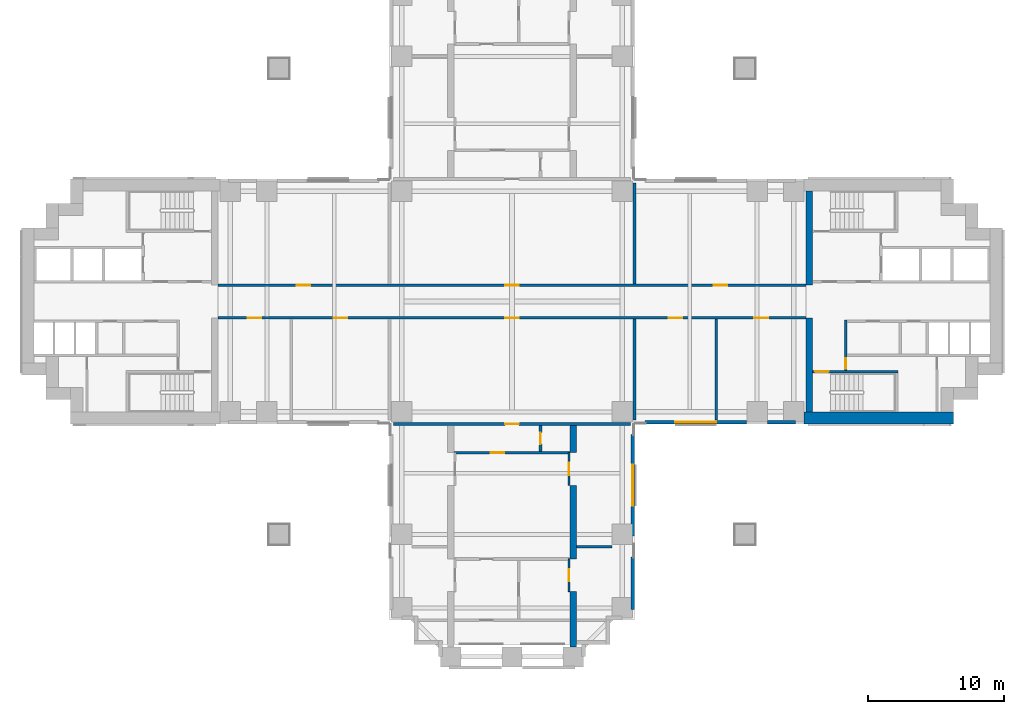
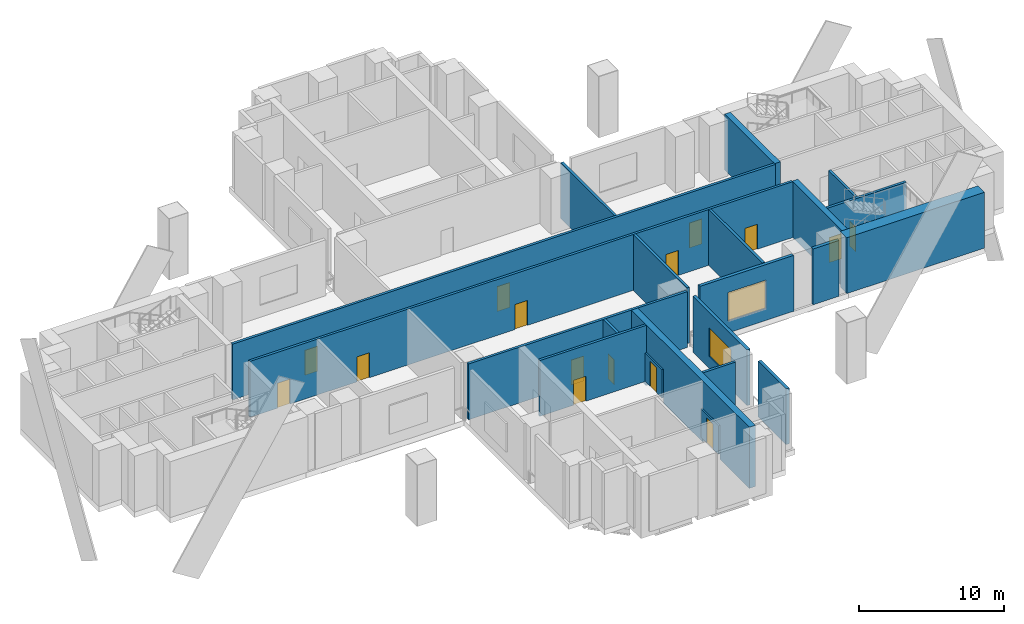
# One storey, part 4 of 10: 21 walls, 15 doors, 2 windows, 17 openings.
"""IFC4 building model written with IfcOpenShell, lengths in metres."""

from ifc_helpers import new_model, si_unit, direction, frame, frame_2d, origin, place, context, subcontext, project, spatial, polyline, rectangle, outline, extrude, material, layer, layer_set, material_profile, profile_set, type_object, element, fill, save


model = new_model("IFC4")

# Units and contexts
model_context = context("Model", 3, precision=1e-05, world=origin(), true_north=direction((0.0, 1.0)))
body_context = subcontext(model_context, "Body", "Model", "MODEL_VIEW")
ifc_project = project(units=[si_unit("LENGTHUNIT", "METRE"), si_unit("AREAUNIT", "SQUARE_METRE"), si_unit("VOLUMEUNIT", "CUBIC_METRE"), si_unit("PLANEANGLEUNIT", "RADIAN"), si_unit("MASSUNIT", "GRAM", prefix="KILO")], contexts=[model_context])

# Site, building, storey
site_placement = place(None, origin())
site = spatial("IfcSite", under=ifc_project, at=site_placement, CompositionType="ELEMENT")
building_placement = place(site_placement, origin())
building = spatial("IfcBuilding", under=site, at=building_placement, Name="Perihelion Cross Residences", CompositionType="ELEMENT")
storey_placement = place(building_placement, frame((0.0, 0.0, 27.0)))
storey = spatial("IfcBuildingStorey", under=building, at=storey_placement, Name="L03", CompositionType="ELEMENT", Elevation=27.0)

# Wall, openings, doors
ifc_material_1 = material(Name="Plasterboard partition")
ifc_layer_1 = layer(ifc_material_1, 0.199951171875)
ifc_layer_set_1 = layer_set([ifc_layer_1], Name="Apartment riser wall 200")
wall_type_1 = type_object("IfcWallType", Name="Apartment riser wall 200", PredefinedType="PARTITIONING", material=ifc_layer_set_1)
wall_1_placement = place(storey_placement, frame((-21.60009765625, 1.199951171875, 0.0), z_axis=(0.0, 0.0, 1.0), x_axis=(1.0, 0.0, 0.0)))
wall_1 = element("IfcWall", 1, at=wall_1_placement, inside=storey, type_object=wall_type_1, Name="Partition L03 W001", PredefinedType="PARTITIONING", context=body_context, shape_type="SweptSolid", body=[
    extrude(rectangle(XDim=43.2001953125, YDim=0.199951171875, at=frame_2d((21.60009765625, 0.0))), origin(), (0.0, 0.0, 1.0), 4.699951171875),
])
opening_1_placement = place(wall_1_placement, frame((21.10009765625, 0.0, 0.0)))
opening_1 = element("IfcOpeningElement", 2, at=opening_1_placement, cuts=wall_1, Name="Opening L03.A01", PredefinedType="OPENING", context=body_context, shape_type="SweptSolid", body=[
    extrude(rectangle(XDim=1.0, YDim=2.10009765625, at=frame_2d((0.5, 1.050048828125))), frame((0.0, 0.10986328125, 0.0), z_axis=(0.0, -1.0, 0.0), x_axis=(1.0, 0.0, 0.0)), (0.0, 0.0, 1.0), 0.219970703125),
])
opening_2_placement = place(wall_1_placement, frame((36.39990234375, 0.0, 0.0)))
opening_2 = element("IfcOpeningElement", 3, at=opening_2_placement, cuts=wall_1, Name="Opening L03.A03", PredefinedType="OPENING", context=body_context, shape_type="SweptSolid", body=[
    extrude(rectangle(XDim=1.0, YDim=2.10009765625, at=frame_2d((0.5, 1.050048828125))), frame((0.0, 0.10986328125, 0.0), z_axis=(0.0, -1.0, 0.0), x_axis=(1.0, 0.0, 0.0)), (0.0, 0.0, 1.0), 0.219970703125),
])
opening_3_placement = place(wall_1_placement, frame((5.800048828125, 0.0, 0.0)))
opening_3 = element("IfcOpeningElement", 4, at=opening_3_placement, cuts=wall_1, Name="Opening L03.A06", PredefinedType="OPENING", context=body_context, shape_type="SweptSolid", body=[
    extrude(rectangle(XDim=1.0, YDim=2.10009765625, at=frame_2d((0.5, 1.050048828125))), frame((0.0, 0.10986328125, 0.0), z_axis=(0.0, -1.0, 0.0), x_axis=(1.0, 0.0, 0.0)), (0.0, 0.0, 1.0), 0.219970703125),
])
ifc_material_2 = material(Name="Steel door leaf", Category="steel")
door_type_1 = type_object("IfcDoorType", Name="Plant floor door 1000 x 2100", OperationType="SINGLE_SWING_LEFT", PredefinedType="DOOR", material=ifc_material_2)
door_1_placement = place(opening_1_placement, origin())
door_1 = element("IfcDoor", 5, at=door_1_placement, inside=storey, type_object=door_type_1, Name="Door L03.A01", OperationType="SINGLE_SWING_LEFT", OverallHeight=2.10009765625, OverallWidth=1.0, PredefinedType="DOOR", context=body_context, shape_type="SweptSolid", body=[
    extrude(rectangle(XDim=1.0, YDim=2.10009765625, at=frame_2d((0.5, 1.050048828125))), frame((0.0, 0.02490234375, 0.0), z_axis=(0.0, -1.0, 0.0), x_axis=(1.0, 0.0, 0.0)), (0.0, 0.0, 1.0), 0.050048828125),
])
fill(opening_1, door_1)
door_2_placement = place(opening_2_placement, origin())
door_2 = element("IfcDoor", 6, at=door_2_placement, inside=storey, type_object=door_type_1, Name="Door L03.A03", OperationType="SINGLE_SWING_LEFT", OverallHeight=2.10009765625, OverallWidth=1.0, PredefinedType="DOOR", context=body_context, shape_type="SweptSolid", body=[
    extrude(rectangle(XDim=1.0, YDim=2.10009765625, at=frame_2d((0.5, 1.050048828125))), frame((0.0, 0.02490234375, 0.0), z_axis=(0.0, -1.0, 0.0), x_axis=(1.0, 0.0, 0.0)), (0.0, 0.0, 1.0), 0.050048828125),
])
fill(opening_2, door_2)
door_3_placement = place(opening_3_placement, origin())
door_3 = element("IfcDoor", 7, at=door_3_placement, inside=storey, type_object=door_type_1, Name="Door L03.A06", OperationType="SINGLE_SWING_RIGHT", OverallHeight=2.10009765625, OverallWidth=1.0, PredefinedType="DOOR", context=body_context, shape_type="SweptSolid", body=[
    extrude(rectangle(XDim=1.0, YDim=2.10009765625, at=frame_2d((0.5, 1.050048828125))), frame((0.0, 0.02490234375, 0.0), z_axis=(0.0, -1.0, 0.0), x_axis=(1.0, 0.0, 0.0)), (0.0, 0.0, 1.0), 0.050048828125),
])
fill(opening_3, door_3)

wall_2_placement = place(storey_placement, frame((21.60009765625, -1.199951171875, 0.0), z_axis=(0.0, 0.0, 1.0), x_axis=(-1.0, 0.0, 0.0)))
wall_2 = element("IfcWall", 8, at=wall_2_placement, inside=storey, type_object=wall_type_1, Name="Partition L03 W002", PredefinedType="PARTITIONING", context=body_context, shape_type="SweptSolid", body=[
    extrude(rectangle(XDim=43.2001953125, YDim=0.199951171875, at=frame_2d((21.60009765625, 0.0))), origin(), (0.0, 0.0, 1.0), 4.699951171875),
])
opening_4_placement = place(wall_2_placement, frame((21.10009765625, 0.0, 0.0)))
opening_4 = element("IfcOpeningElement", 9, at=opening_4_placement, cuts=wall_2, Name="Opening L03.A02", PredefinedType="OPENING", context=body_context, shape_type="SweptSolid", body=[
    extrude(rectangle(XDim=1.0, YDim=2.10009765625, at=frame_2d((0.5, 1.050048828125))), frame((0.0, 0.10986328125, 0.0), z_axis=(0.0, -1.0, 0.0), x_axis=(1.0, 0.0, 0.0)), (0.0, 0.0, 1.0), 0.219970703125),
])
opening_5_placement = place(wall_2_placement, frame((9.10009765625, 0.0, 0.0)))
opening_5 = element("IfcOpeningElement", 10, at=opening_5_placement, cuts=wall_2, Name="Opening L03.A04", PredefinedType="OPENING", context=body_context, shape_type="SweptSolid", body=[
    extrude(rectangle(XDim=1.0, YDim=2.10009765625, at=frame_2d((0.5, 1.050048828125))), frame((0.0, 0.10986328125, 0.0), z_axis=(0.0, -1.0, 0.0), x_axis=(1.0, 0.0, 0.0)), (0.0, 0.0, 1.0), 0.219970703125),
])
opening_6_placement = place(wall_2_placement, frame((2.800048828125, 0.0, 0.0)))
opening_6 = element("IfcOpeningElement", 11, at=opening_6_placement, cuts=wall_2, Name="Opening L03.A05", PredefinedType="OPENING", context=body_context, shape_type="SweptSolid", body=[
    extrude(rectangle(XDim=1.0, YDim=2.10009765625, at=frame_2d((0.5, 1.050048828125))), frame((0.0, 0.10986328125, 0.0), z_axis=(0.0, -1.0, 0.0), x_axis=(1.0, 0.0, 0.0)), (0.0, 0.0, 1.0), 0.219970703125),
])
opening_7_placement = place(wall_2_placement, frame((33.699951171875, 0.0, 0.0)))
opening_7 = element("IfcOpeningElement", 12, at=opening_7_placement, cuts=wall_2, Name="Opening L03.A07", PredefinedType="OPENING", context=body_context, shape_type="SweptSolid", body=[
    extrude(rectangle(XDim=1.0, YDim=2.10009765625, at=frame_2d((0.5, 1.050048828125))), frame((0.0, 0.10986328125, 0.0), z_axis=(0.0, -1.0, 0.0), x_axis=(1.0, 0.0, 0.0)), (0.0, 0.0, 1.0), 0.219970703125),
])
opening_8_placement = place(wall_2_placement, frame((40.0, 0.0, 0.0)))
opening_8 = element("IfcOpeningElement", 13, at=opening_8_placement, cuts=wall_2, Name="Opening L03.A08", PredefinedType="OPENING", context=body_context, shape_type="SweptSolid", body=[
    extrude(rectangle(XDim=1.0, YDim=2.10009765625, at=frame_2d((0.5, 1.050048828125))), frame((0.0, 0.10986328125, 0.0), z_axis=(0.0, -1.0, 0.0), x_axis=(1.0, 0.0, 0.0)), (0.0, 0.0, 1.0), 0.219970703125),
])
door_4_placement = place(opening_4_placement, origin())
door_4 = element("IfcDoor", 14, at=door_4_placement, inside=storey, type_object=door_type_1, Name="Door L03.A02", OperationType="SINGLE_SWING_RIGHT", OverallHeight=2.10009765625, OverallWidth=1.0, PredefinedType="DOOR", context=body_context, shape_type="SweptSolid", body=[
    extrude(rectangle(XDim=1.0, YDim=2.10009765625, at=frame_2d((0.5, 1.050048828125))), frame((0.0, 0.02490234375, 0.0), z_axis=(0.0, -1.0, 0.0), x_axis=(1.0, 0.0, 0.0)), (0.0, 0.0, 1.0), 0.050048828125),
])
fill(opening_4, door_4)
door_5_placement = place(opening_5_placement, origin())
door_5 = element("IfcDoor", 15, at=door_5_placement, inside=storey, type_object=door_type_1, Name="Door L03.A04", OperationType="SINGLE_SWING_RIGHT", OverallHeight=2.10009765625, OverallWidth=1.0, PredefinedType="DOOR", context=body_context, shape_type="SweptSolid", body=[
    extrude(rectangle(XDim=1.0, YDim=2.10009765625, at=frame_2d((0.5, 1.050048828125))), frame((0.0, 0.02490234375, 0.0), z_axis=(0.0, -1.0, 0.0), x_axis=(1.0, 0.0, 0.0)), (0.0, 0.0, 1.0), 0.050048828125),
])
fill(opening_5, door_5)
door_6_placement = place(opening_6_placement, origin())
door_6 = element("IfcDoor", 16, at=door_6_placement, inside=storey, type_object=door_type_1, Name="Door L03.A05", OperationType="SINGLE_SWING_LEFT", OverallHeight=2.10009765625, OverallWidth=1.0, PredefinedType="DOOR", context=body_context, shape_type="SweptSolid", body=[
    extrude(rectangle(XDim=1.0, YDim=2.10009765625, at=frame_2d((0.5, 1.050048828125))), frame((0.0, 0.02490234375, 0.0), z_axis=(0.0, -1.0, 0.0), x_axis=(1.0, 0.0, 0.0)), (0.0, 0.0, 1.0), 0.050048828125),
])
fill(opening_6, door_6)
door_7_placement = place(opening_7_placement, origin())
door_7 = element("IfcDoor", 17, at=door_7_placement, inside=storey, type_object=door_type_1, Name="Door L03.A07", OperationType="SINGLE_SWING_LEFT", OverallHeight=2.10009765625, OverallWidth=1.0, PredefinedType="DOOR", context=body_context, shape_type="SweptSolid", body=[
    extrude(rectangle(XDim=1.0, YDim=2.10009765625, at=frame_2d((0.5, 1.050048828125))), frame((0.0, 0.02490234375, 0.0), z_axis=(0.0, -1.0, 0.0), x_axis=(1.0, 0.0, 0.0)), (0.0, 0.0, 1.0), 0.050048828125),
])
fill(opening_7, door_7)
door_8_placement = place(opening_8_placement, origin())
door_8 = element("IfcDoor", 18, at=door_8_placement, inside=storey, type_object=door_type_1, Name="Door L03.A08", OperationType="SINGLE_SWING_RIGHT", OverallHeight=2.10009765625, OverallWidth=1.0, PredefinedType="DOOR", context=body_context, shape_type="SweptSolid", body=[
    extrude(rectangle(XDim=1.0, YDim=2.10009765625, at=frame_2d((0.5, 1.050048828125))), frame((0.0, 0.02490234375, 0.0), z_axis=(0.0, -1.0, 0.0), x_axis=(1.0, 0.0, 0.0)), (0.0, 0.0, 1.0), 0.050048828125),
])
fill(opening_8, door_8)

# Walls
for number, where, z_axis, x_axis, name in (
    (19, (9.0, 8.699951171875, 0.0), (0.0, 0.0, 1.0), (0.0, -1.0, 0.0), "Partition L03 W003"),
    (20, (9.0, -1.300048828125, 0.0), (0.0, 0.0, 1.0), (0.0, -1.0, 0.0), "Partition L03 W006"),
):
    element("IfcWall", number, at=place(storey_placement, frame(where, z_axis=z_axis, x_axis=x_axis)), inside=storey, type_object=wall_type_1, Name=name, PredefinedType="PARTITIONING", context=body_context, shape_type="SweptSolid", body=[
        extrude(rectangle(XDim=7.39990234375, YDim=0.199951171875, at=frame_2d((3.699951171875, 0.0))), origin(), (0.0, 0.0, 1.0), 4.699951171875),
    ])

# Wall, opening, door
wall_3_placement = place(storey_placement, frame((8.699951171875, -9.0, 0.0), z_axis=(0.0, 0.0, 1.0), x_axis=(-1.0, 0.0, 0.0)))
wall_3 = element("IfcWall", 21, at=wall_3_placement, inside=storey, type_object=wall_type_1, Name="Partition L03 W008", PredefinedType="PARTITIONING", context=body_context, shape_type="SweptSolid", body=[
    extrude(rectangle(XDim=17.39990234375, YDim=0.199951171875, at=frame_2d((8.699951171875, 0.0))), origin(), (0.0, 0.0, 1.0), 4.699951171875),
])
opening_9_placement = place(wall_3_placement, frame((8.199951171875, 0.0, 0.0)))
opening_9 = element("IfcOpeningElement", 22, at=opening_9_placement, cuts=wall_3, Name="Opening L03.A15", PredefinedType="OPENING", context=body_context, shape_type="SweptSolid", body=[
    extrude(rectangle(XDim=1.0, YDim=2.10009765625, at=frame_2d((0.5, 1.050048828125))), frame((0.0, 0.10986328125, 0.0), z_axis=(0.0, -1.0, 0.0), x_axis=(1.0, 0.0, 0.0)), (0.0, 0.0, 1.0), 0.219970703125),
])
door_9_placement = place(opening_9_placement, origin())
door_9 = element("IfcDoor", 23, at=door_9_placement, inside=storey, type_object=door_type_1, Name="Door L03.A15", OperationType="SINGLE_SWING_LEFT", OverallHeight=2.10009765625, OverallWidth=1.0, PredefinedType="DOOR", context=body_context, shape_type="SweptSolid", body=[
    extrude(rectangle(XDim=1.0, YDim=2.10009765625, at=frame_2d((0.5, 1.050048828125))), frame((0.0, 0.02490234375, 0.0), z_axis=(0.0, -1.0, 0.0), x_axis=(1.0, 0.0, 0.0)), (0.0, 0.0, 1.0), 0.050048828125),
])
fill(opening_9, door_9)

# Wall
wall_4_placement = place(storey_placement, frame((15.0, -1.300048828125, 0.0), z_axis=(0.0, 0.0, 1.0), x_axis=(0.0, -1.0, 0.0)))
element("IfcWall", 24, at=wall_4_placement, inside=storey, type_object=wall_type_1, Name="Partition L03 W009", PredefinedType="PARTITIONING", context=body_context, shape_type="SweptSolid", body=[
    extrude(rectangle(XDim=7.39990234375, YDim=0.199951171875, at=frame_2d((3.699951171875, 0.0))), origin(), (0.0, 0.0, 1.0), 4.699951171875),
])

# Wall, opening, door
wall_5_placement = place(storey_placement, frame((2.10009765625, -9.10009765625, 0.0), z_axis=(0.0, 0.0, 1.0), x_axis=(0.0, -1.0, 0.0)))
wall_5 = element("IfcWall", 25, at=wall_5_placement, inside=storey, type_object=wall_type_1, Name="Partition L03 W020", PredefinedType="PARTITIONING", context=body_context, shape_type="SweptSolid", body=[
    extrude(rectangle(XDim=1.89990234375, YDim=0.199951171875, at=frame_2d((0.949951171875, 0.0))), origin(), (0.0, 0.0, 1.0), 4.699951171875),
])
opening_10_placement = place(wall_5_placement, frame((0.52490234375, 0.0, 0.0)))
opening_10 = element("IfcOpeningElement", 26, at=opening_10_placement, cuts=wall_5, Name="Opening L03.A16", PredefinedType="OPENING", context=body_context, shape_type="SweptSolid", body=[
    extrude(rectangle(XDim=0.85009765625, YDim=2.10009765625, at=frame_2d((0.425048828125, 1.050048828125))), frame((0.0, 0.10986328125, 0.0), z_axis=(0.0, -1.0, 0.0), x_axis=(1.0, 0.0, 0.0)), (0.0, 0.0, 1.0), 0.219970703125),
])
ifc_material_3 = material(Name="Timber door leaf", Category="wood")
door_type_2 = type_object("IfcDoorType", Name="Interior bathroom door 850 x 2100", OperationType="SINGLE_SWING_LEFT", PredefinedType="DOOR", material=ifc_material_3)
door_10_placement = place(opening_10_placement, origin())
door_10 = element("IfcDoor", 27, at=door_10_placement, inside=storey, type_object=door_type_2, Name="Door L03.A16", OperationType="SINGLE_SWING_RIGHT", OverallHeight=2.10009765625, OverallWidth=0.85009765625, PredefinedType="DOOR", context=body_context, shape_type="SweptSolid", body=[
    extrude(rectangle(XDim=0.85009765625, YDim=2.10009765625, at=frame_2d((0.425048828125, 1.050048828125))), frame((0.0, 0.02490234375, 0.0), z_axis=(0.0, -1.0, 0.0), x_axis=(1.0, 0.0, 0.0)), (0.0, 0.0, 1.0), 0.050048828125),
])
fill(opening_10, door_10)

wall_6_placement = place(storey_placement, frame((4.25, -11.10009765625, 0.0), z_axis=(0.0, 0.0, 1.0), x_axis=(-1.0, 0.0, 0.0)))
wall_6 = element("IfcWall", 28, at=wall_6_placement, inside=storey, type_object=wall_type_1, Name="Partition L03 W021", PredefinedType="PARTITIONING", context=body_context, shape_type="SweptSolid", body=[
    extrude(rectangle(XDim=8.5, YDim=0.199951171875, at=frame_2d((4.25, 0.0))), origin(), (0.0, 0.0, 1.0), 4.699951171875),
])
opening_11_placement = place(wall_6_placement, frame((4.824951171875, 0.0, 0.0)))
opening_11 = element("IfcOpeningElement", 29, at=opening_11_placement, cuts=wall_6, Name="Opening L03.A17", PredefinedType="OPENING", context=body_context, shape_type="SweptSolid", body=[
    extrude(rectangle(XDim=1.0, YDim=2.10009765625, at=frame_2d((0.5, 1.050048828125))), frame((0.0, 0.10986328125, 0.0), z_axis=(0.0, -1.0, 0.0), x_axis=(1.0, 0.0, 0.0)), (0.0, 0.0, 1.0), 0.219970703125),
])
door_11_placement = place(opening_11_placement, origin())
door_11 = element("IfcDoor", 30, at=door_11_placement, inside=storey, type_object=door_type_1, Name="Door L03.A17", OperationType="SINGLE_SWING_RIGHT", OverallHeight=2.10009765625, OverallWidth=1.0, PredefinedType="DOOR", context=body_context, shape_type="SweptSolid", body=[
    extrude(rectangle(XDim=1.0, YDim=2.10009765625, at=frame_2d((0.5, 1.050048828125))), frame((0.0, 0.02490234375, 0.0), z_axis=(0.0, -1.0, 0.0), x_axis=(1.0, 0.0, 0.0)), (0.0, 0.0, 1.0), 0.050048828125),
])
fill(opening_11, door_11)

# Walls
wall_7_placement = place(storey_placement, frame((7.35009765625, -18.0, 0.0), z_axis=(0.0, 0.0, 1.0), x_axis=(-1.0, 0.0, 0.0)))
element("IfcWall", 31, at=wall_7_placement, inside=storey, type_object=wall_type_1, Name="Partition L03 W025", PredefinedType="PARTITIONING", context=body_context, shape_type="SweptSolid", body=[
    extrude(rectangle(XDim=2.60009765625, YDim=0.199951171875, at=frame_2d((1.300048828125, 0.0))), origin(), (0.0, 0.0, 1.0), 4.699951171875),
])
ifc_material_4 = material(Name="Concrete C60/75", Category="concrete")
ifc_layer_2 = layer(ifc_material_4, 0.449951171875)
ifc_layer_set_2 = layer_set([ifc_layer_2], Name="Core wall, inner 450")
wall_type_2 = type_object("IfcWallType", Name="Core wall, inner 450", PredefinedType="SHEAR", material=ifc_layer_set_2)
for number, where, z_axis, x_axis, name in (
    (32, (21.824951171875, -8.10009765625, 0.0), (0.0, 0.0, 1.0), (0.0, 1.0, 0.0), "East core core wall, inner"),
    (33, (21.824951171875, 1.199951171875, 0.0), (0.0, 0.0, 1.0), (0.0, 1.0, 0.0), "East core core wall, inner"),
):
    element("IfcWall", number, at=place(storey_placement, frame(where, z_axis=z_axis, x_axis=x_axis)), inside=storey, type_object=wall_type_2, Name=name, PredefinedType="SHEAR", context=body_context, shape_type="SweptSolid", body=[
        extrude(rectangle(XDim=6.900146484375, YDim=0.449951171875, at=frame_2d((3.4501953125, 0.0))), origin(), (0.0, 0.0, 1.0), 4.699951171875),
    ])
ifc_material_5 = material(Name="Concrete C60/75", Category="concrete")
ifc_layer_3 = layer(ifc_material_5, 0.89990234375)
ifc_layer_set_3 = layer_set([ifc_layer_3], Name="Core wall, outer 900")
wall_type_3 = type_object("IfcWallType", Name="Core wall, outer 900", PredefinedType="SHEAR", material=ifc_layer_set_3)
wall_8_placement = place(storey_placement, frame((21.449951171875, -8.550048828125, 0.0), z_axis=(0.0, 0.0, 1.0), x_axis=(1.0, 0.0, 0.0)))
element("IfcWall", 34, at=wall_8_placement, inside=storey, type_object=wall_type_3, Name="East core core wall, outer", PredefinedType="SHEAR", context=body_context, shape_type="SweptSolid", body=[
    extrude(rectangle(XDim=10.949951171875, YDim=0.89990234375, at=frame_2d((5.47509765625, 0.0))), origin(), (0.0, 0.0, 1.0), 4.699951171875),
])

# Wall, opening, door
ifc_material_6 = material(Name="Plasterboard partition")
ifc_layer_4 = layer(ifc_material_6, 0.1201171875)
ifc_layer_set_4 = layer_set([ifc_layer_4], Name="Infill panel 120")
wall_type_4 = type_object("IfcWallType", Name="Infill panel 120", PredefinedType="PARTITIONING", material=ifc_layer_set_4)
wall_9_placement = place(storey_placement, frame((4.18994140625, -11.10009765625, 0.0), z_axis=(0.0, 0.0, 1.0), x_axis=(0.0, -1.0, 0.0)))
wall_9 = element("IfcWall", 35, at=wall_9_placement, inside=storey, type_object=wall_type_4, Name="Partition L03 WI05", PredefinedType="PARTITIONING", context=body_context, shape_type="SweptSolid", body=[
    extrude(rectangle(XDim=2.39990234375, YDim=0.1201171875, at=frame_2d((1.199951171875, 0.0))), origin(), (0.0, 0.0, 1.0), 2.39990234375),
])
opening_12_placement = place(wall_9_placement, frame((0.75, 0.0, 0.0)))
opening_12 = element("IfcOpeningElement", 36, at=opening_12_placement, cuts=wall_9, Name="Opening L03.A25", PredefinedType="OPENING", context=body_context, shape_type="SweptSolid", body=[
    extrude(rectangle(XDim=0.89990234375, YDim=2.10009765625, at=frame_2d((0.449951171875, 1.050048828125))), frame((0.0, 0.070068359375, 0.0), z_axis=(0.0, -1.0, 0.0), x_axis=(1.0, 0.0, 0.0)), (0.0, 0.0, 1.0), 0.14013671875),
])
ifc_material_7 = material(Name="Timber door leaf", Category="wood")
door_type_3 = type_object("IfcDoorType", Name="Interior room door 900 x 2100", OperationType="SINGLE_SWING_LEFT", PredefinedType="DOOR", material=ifc_material_7)
door_12_placement = place(opening_12_placement, origin())
door_12 = element("IfcDoor", 37, at=door_12_placement, inside=storey, type_object=door_type_3, Name="Door L03.A25", OperationType="SINGLE_SWING_RIGHT", OverallHeight=2.10009765625, OverallWidth=0.89990234375, PredefinedType="DOOR", context=body_context, shape_type="SweptSolid", body=[
    extrude(rectangle(XDim=0.89990234375, YDim=2.10009765625, at=frame_2d((0.449951171875, 1.050048828125))), frame((0.0, 0.02490234375, 0.0), z_axis=(0.0, -1.0, 0.0), x_axis=(1.0, 0.0, 0.0)), (0.0, 0.0, 1.0), 0.050048828125),
])
fill(opening_12, door_12)

wall_10_placement = place(storey_placement, frame((4.18994140625, -18.89990234375, 0.0), z_axis=(0.0, 0.0, 1.0), x_axis=(0.0, -1.0, 0.0)))
wall_10 = element("IfcWall", 38, at=wall_10_placement, inside=storey, type_object=wall_type_4, Name="Partition L03 WI06", PredefinedType="PARTITIONING", context=body_context, shape_type="SweptSolid", body=[
    extrude(rectangle(XDim=2.400146484375, YDim=0.1201171875, at=frame_2d((1.2001953125, 0.0))), origin(), (0.0, 0.0, 1.0), 2.39990234375),
])
opening_13_placement = place(wall_10_placement, frame((0.75, 0.0, 0.0)))
opening_13 = element("IfcOpeningElement", 39, at=opening_13_placement, cuts=wall_10, Name="Opening L03.A26", PredefinedType="OPENING", context=body_context, shape_type="SweptSolid", body=[
    extrude(rectangle(XDim=0.89990234375, YDim=2.10009765625, at=frame_2d((0.449951171875, 1.050048828125))), frame((0.0, 0.070068359375, 0.0), z_axis=(0.0, -1.0, 0.0), x_axis=(1.0, 0.0, 0.0)), (0.0, 0.0, 1.0), 0.14013671875),
])
door_13_placement = place(opening_13_placement, origin())
door_13 = element("IfcDoor", 40, at=door_13_placement, inside=storey, type_object=door_type_3, Name="Door L03.A26", OperationType="SINGLE_SWING_LEFT", OverallHeight=2.10009765625, OverallWidth=0.89990234375, PredefinedType="DOOR", context=body_context, shape_type="SweptSolid", body=[
    extrude(rectangle(XDim=0.89990234375, YDim=2.10009765625, at=frame_2d((0.449951171875, 1.050048828125))), frame((0.0, 0.02490234375, 0.0), z_axis=(0.0, -1.0, 0.0), x_axis=(1.0, 0.0, 0.0)), (0.0, 0.0, 1.0), 0.050048828125),
])
fill(opening_13, door_13)

ifc_material_8 = material(Name="Concrete C50/60", Category="concrete")
ifc_layer_5 = layer(ifc_material_8, 0.199951171875)
ifc_layer_set_5 = layer_set([ifc_layer_5], Name="Lobby wall 200")
wall_type_5 = type_object("IfcWallType", Name="Lobby wall 200", PredefinedType="SOLIDWALL", material=ifc_layer_set_5)
wall_11_placement = place(storey_placement, frame((24.5, -5.050048828125, 0.0), z_axis=(0.0, 0.0, 1.0), x_axis=(0.0, 1.0, 0.0)))
wall_11 = element("IfcWall", 41, at=wall_11_placement, inside=storey, type_object=wall_type_5, Name="East core lobby wall", PredefinedType="SOLIDWALL", context=body_context, shape_type="SweptSolid", body=[
    extrude(rectangle(XDim=3.699951171875, YDim=0.199951171875, at=frame_2d((1.85009765625, 0.0))), origin(), (0.0, 0.0, 1.0), 4.699951171875),
])
opening_14_placement = place(wall_11_placement, frame((0.10009765625, 0.0, 0.0)))
opening_14 = element("IfcOpeningElement", 42, at=opening_14_placement, cuts=wall_11, Name="Opening L03.C05", PredefinedType="OPENING", context=body_context, shape_type="SweptSolid", body=[
    extrude(rectangle(XDim=0.800048828125, YDim=2.10009765625, at=frame_2d((0.39990234375, 1.050048828125))), frame((0.0, 0.10986328125, 0.0), z_axis=(0.0, -1.0, 0.0), x_axis=(1.0, 0.0, 0.0)), (0.0, 0.0, 1.0), 0.219970703125),
])
ifc_material_9 = material(Name="Steel, powder coated", Category="steel")
door_type_4 = type_object("IfcDoorType", Name="Riser door 800", OperationType="SINGLE_SWING_LEFT", PredefinedType="DOOR", material=ifc_material_9)
door_14_placement = place(opening_14_placement, origin())
door_14 = element("IfcDoor", 43, at=door_14_placement, inside=storey, type_object=door_type_4, Name="East core riser door", OperationType="SINGLE_SWING_LEFT", OverallHeight=2.10009765625, OverallWidth=0.800048828125, PredefinedType="DOOR", context=body_context, shape_type="SweptSolid", body=[
    extrude(rectangle(XDim=0.800048828125, YDim=2.10009765625, at=frame_2d((0.39990234375, 1.050048828125))), frame((0.0, 0.02490234375, 0.0), z_axis=(0.0, -1.0, 0.0), x_axis=(1.0, 0.0, 0.0)), (0.0, 0.0, 1.0), 0.050048828125),
])
fill(opening_14, door_14)

# Wall
ifc_material_10 = material(Name="Concrete C30/37, bronze-clad", Category="concrete")
ifc_layer_6 = layer(ifc_material_10, 0.25)
ifc_layer_set_6 = layer_set([ifc_layer_6], Name="Louvre bay wall 250")
wall_type_6 = type_object("IfcWallType", Name="Louvre bay wall 250", PredefinedType="SOLIDWALL", material=ifc_layer_set_6)
wall_12_placement = place(storey_placement, frame((8.875, -22.6298828125, 0.0), z_axis=(0.0, 0.0, 1.0), x_axis=(0.0, 1.0, 0.0)))
element("IfcWall", 44, at=wall_12_placement, inside=storey, type_object=wall_type_6, Name="Wall FW2 L03 south side east bay 1 louvre", PredefinedType="SOLIDWALL", context=body_context, shape_type="SweptSolid", body=[
    extrude(rectangle(XDim=3.85986328125, YDim=0.25, at=frame_2d((1.929931640625, 0.0))), origin(), (0.0, 0.0, 1.0), 4.699951171875),
])

# Wall, opening, window
wall_13_placement = place(storey_placement, frame((8.875, -17.22998046875, 0.0), z_axis=(0.0, 0.0, 1.0), x_axis=(0.0, 1.0, 0.0)))
wall_13 = element("IfcWall", 45, at=wall_13_placement, inside=storey, type_object=wall_type_6, Name="Wall FW2 L03 south side east bay 2 louvre", PredefinedType="SOLIDWALL", context=body_context, shape_type="SweptSolid", body=[
    extrude(rectangle(XDim=7.4599609375, YDim=0.25, at=frame_2d((3.72998046875, 0.0))), origin(), (0.0, 0.0, 1.0), 4.699951171875),
])
opening_15_placement = place(wall_13_placement, frame((2.22998046875, 0.0, 1.0)))
opening_15 = element("IfcOpeningElement", 46, at=opening_15_placement, cuts=wall_13, Name="Opening L03.W07", PredefinedType="OPENING", context=body_context, shape_type="SweptSolid", body=[
    extrude(rectangle(XDim=3.0, YDim=2.39990234375, at=frame_2d((1.5, 1.199951171875))), frame((0.0, 0.135009765625, 0.0), z_axis=(0.0, -1.0, 0.0), x_axis=(1.0, 0.0, 0.0)), (0.0, 0.0, 1.0), 0.27001953125),
])
ifc_material_11 = material(Name="Bronze anodised aluminium, louvred", Category="aluminium")
window_type = type_object("IfcWindowType", Name="Louvred vent 3000 x 2400", PartitioningType="SINGLE_PANEL", PredefinedType="WINDOW", material=ifc_material_11)
window_1_placement = place(opening_15_placement, origin())
window_1 = element("IfcWindow", 47, at=window_1_placement, inside=storey, type_object=window_type, Name="Window L03.W07 south side east bay 2 vent", OverallHeight=2.39990234375, OverallWidth=3.0, PartitioningType="SINGLE_PANEL", PredefinedType="WINDOW", context=body_context, shape_type="SweptSolid", body=[
    extrude(rectangle(XDim=3.0, YDim=2.39990234375, at=frame_2d((1.5, 1.199951171875))), frame((0.0, 0.030029296875, 0.0), z_axis=(0.0, -1.0, 0.0), x_axis=(1.0, 0.0, 0.0)), (0.0, 0.0, 1.0), 0.06005859375),
])
fill(opening_15, window_1)

wall_14_placement = place(storey_placement, frame((9.77001953125, -8.875, 0.0), z_axis=(0.0, 0.0, 1.0), x_axis=(1.0, 0.0, 0.0)))
wall_14 = element("IfcWall", 48, at=wall_14_placement, inside=storey, type_object=wall_type_6, Name="Wall FW2 L03 east side south bay 1 louvre", PredefinedType="SOLIDWALL", context=body_context, shape_type="SweptSolid", body=[
    extrude(rectangle(XDim=7.4599609375, YDim=0.25, at=frame_2d((3.72998046875, 0.0))), origin(), (0.0, 0.0, 1.0), 4.699951171875),
])
opening_16_placement = place(wall_14_placement, frame((2.22998046875, 0.0, 1.0)))
opening_16 = element("IfcOpeningElement", 49, at=opening_16_placement, cuts=wall_14, Name="Opening L03.W08", PredefinedType="OPENING", context=body_context, shape_type="SweptSolid", body=[
    extrude(rectangle(XDim=3.0, YDim=2.39990234375, at=frame_2d((1.5, 1.199951171875))), frame((0.0, 0.135009765625, 0.0), z_axis=(0.0, -1.0, 0.0), x_axis=(1.0, 0.0, 0.0)), (0.0, 0.0, 1.0), 0.27001953125),
])
window_2_placement = place(opening_16_placement, origin())
window_2 = element("IfcWindow", 50, at=window_2_placement, inside=storey, type_object=window_type, Name="Window L03.W08 east side south bay 1 vent", OverallHeight=2.39990234375, OverallWidth=3.0, PartitioningType="SINGLE_PANEL", PredefinedType="WINDOW", context=body_context, shape_type="SweptSolid", body=[
    extrude(rectangle(XDim=3.0, YDim=2.39990234375, at=frame_2d((1.5, 1.199951171875))), frame((0.0, 0.030029296875, 0.0), z_axis=(0.0, -1.0, 0.0), x_axis=(1.0, 0.0, 0.0)), (0.0, 0.0, 1.0), 0.06005859375),
])
fill(opening_16, window_2)

# Wall
wall_15_placement = place(storey_placement, frame((18.77001953125, -8.875, 0.0), z_axis=(0.0, 0.0, 1.0), x_axis=(1.0, 0.0, 0.0)))
element("IfcWall", 51, at=wall_15_placement, inside=storey, type_object=wall_type_6, Name="Wall FW2 L03 east side south bay 2 louvre", PredefinedType="SOLIDWALL", context=body_context, shape_type="SweptSolid", body=[
    extrude(rectangle(XDim=2.06005859375, YDim=0.25, at=frame_2d((1.030029296875, 0.0))), origin(), (0.0, 0.0, 1.0), 4.699951171875),
])

# Wall, opening, door
ifc_material_12 = material(Name="Concrete C50/60", Category="concrete")
ifc_layer_7 = layer(ifc_material_12, 0.199951171875)
ifc_layer_set_7 = layer_set([ifc_layer_7], Name="Stair wall 200")
wall_type_7 = type_object("IfcWallType", Name="Stair wall 200", PredefinedType="SOLIDWALL", material=ifc_layer_set_7)
wall_16_placement = place(storey_placement, frame((22.050048828125, -5.14990234375, 0.0), z_axis=(0.0, 0.0, 1.0), x_axis=(1.0, 0.0, 0.0)))
wall_16 = element("IfcWall", 52, at=wall_16_placement, inside=storey, type_object=wall_type_7, Name="East core stair wall", PredefinedType="SOLIDWALL", context=body_context, shape_type="SweptSolid", body=[
    extrude(rectangle(XDim=6.300048828125, YDim=0.199951171875, at=frame_2d((3.14990234375, 0.0))), origin(), (0.0, 0.0, 1.0), 4.699951171875),
])
opening_17_placement = place(wall_16_placement, frame((0.199951171875, 0.0, 0.0)))
opening_17 = element("IfcOpeningElement", 53, at=opening_17_placement, cuts=wall_16, Name="Opening L03.C02", PredefinedType="OPENING", context=body_context, shape_type="SweptSolid", body=[
    extrude(rectangle(XDim=1.0, YDim=2.10009765625, at=frame_2d((0.5, 1.050048828125))), frame((0.0, 0.10986328125, 0.0), z_axis=(0.0, -1.0, 0.0), x_axis=(1.0, 0.0, 0.0)), (0.0, 0.0, 1.0), 0.219970703125),
])
ifc_material_13 = material(Name="Steel, powder coated", Category="steel")
door_type_5 = type_object("IfcDoorType", Name="Stair door 1000", OperationType="SINGLE_SWING_LEFT", PredefinedType="DOOR", material=ifc_material_13)
door_15_placement = place(opening_17_placement, origin())
door_15 = element("IfcDoor", 54, at=door_15_placement, inside=storey, type_object=door_type_5, Name="East core stair door", OperationType="SINGLE_SWING_LEFT", OverallHeight=2.10009765625, OverallWidth=1.0, PredefinedType="DOOR", context=body_context, shape_type="SweptSolid", body=[
    extrude(rectangle(XDim=1.0, YDim=2.10009765625, at=frame_2d((0.5, 1.050048828125))), frame((0.0, 0.02490234375, 0.0), z_axis=(0.0, -1.0, 0.0), x_axis=(1.0, 0.0, 0.0)), (0.0, 0.0, 1.0), 0.050048828125),
])
fill(opening_17, door_15)

# Wall
ifc_material_14 = material(Name="Concrete C60/75", Category="concrete")
ifc_material_profile = material_profile(ifc_material_14, outline(polyline([(0.0, 0.0), (4.050048828125, 0.0), (4.050048828125, 2.85009765625), (6.449951171875, 2.85009765625), (6.449951171875, 0.0), (11.85009765625, 0.0), (11.85009765625, 2.85009765625), (14.25, 2.85009765625), (14.25, 0.0), (16.35009765625, 0.0), (16.35009765625, 5.14990234375), (0.0, 5.14990234375), (0.0, 0.0)])), Name="Tip spine wall")
ifc_profile_set = profile_set([ifc_material_profile], Name="Concrete C60/75")
wall_type_8 = type_object("IfcWallType", Name="Tip spine wall 500 with 2 door openings 16350 long 5150 high concrete C60/75 hand A", PredefinedType="SHEAR", material=ifc_profile_set)
wall_17_placement = place(storey_placement, frame((4.25, -25.35009765625, -0.449951171875), z_axis=(1.0, 0.0, 0.0), x_axis=(0.0, 1.0, 0.0)))
element("IfcWall", 55, at=wall_17_placement, inside=storey, type_object=wall_type_8, Name="Shear wall SW18 L03 south east", PredefinedType="SHEAR", context=body_context, shape_type="SweptSolid", body=[
    extrude(outline(polyline([(0.0, 0.0), (4.050048828125, 0.0), (4.050048828125, 2.85009765625), (6.449951171875, 2.85009765625), (6.449951171875, 0.0), (11.85009765625, 0.0), (11.85009765625, 2.85009765625), (14.25, 2.85009765625), (14.25, 0.0), (16.35009765625, 0.0), (16.35009765625, 5.14990234375), (0.0, 5.14990234375), (0.0, 0.0)])), origin(), (0.0, 0.0, 1.0), 0.5),
])

save(model, "model.ifc")
